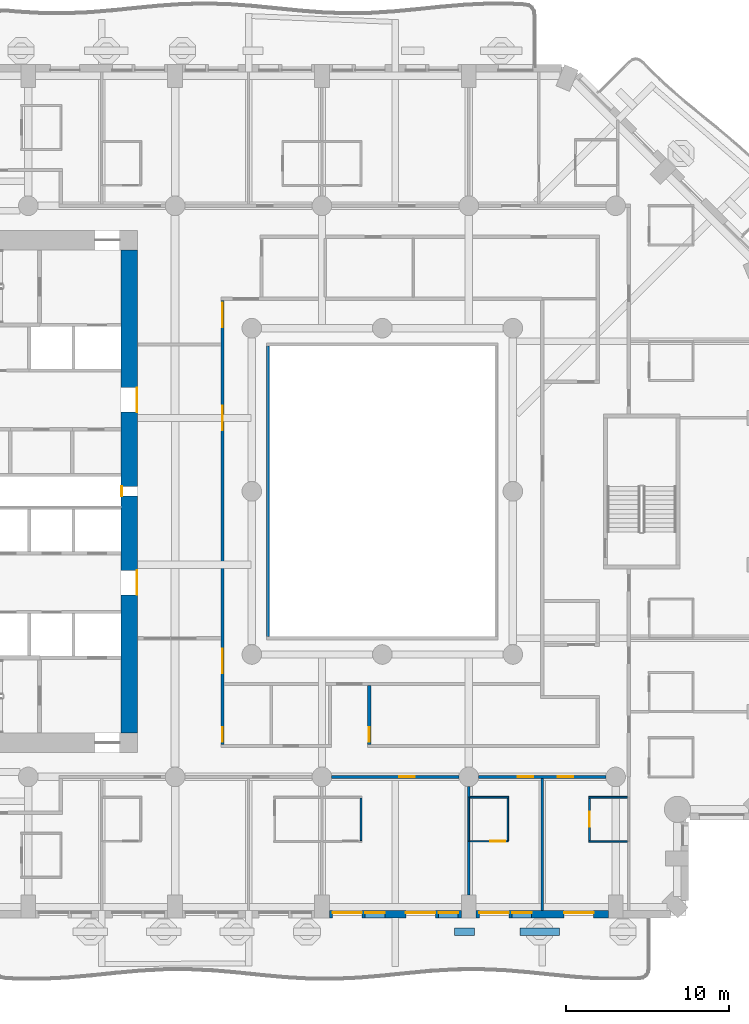
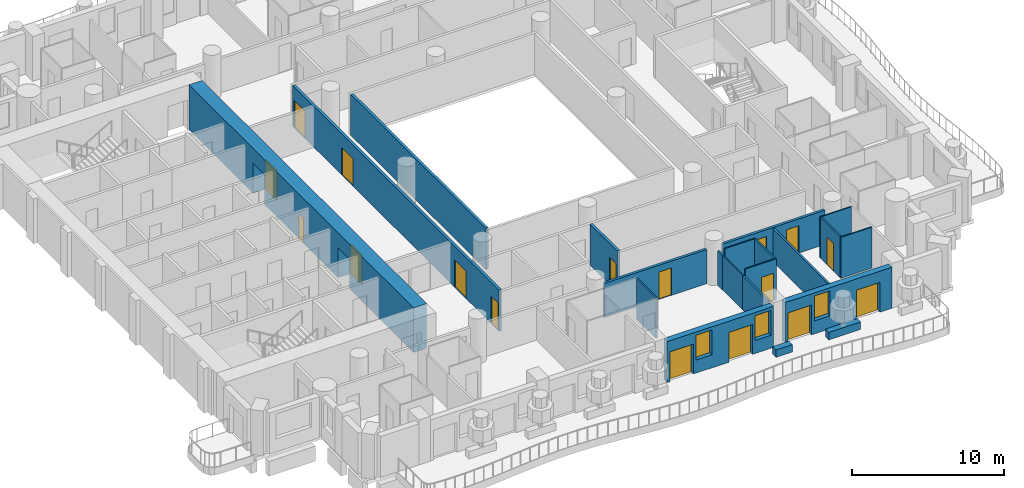
# One storey, part 5 of 20: 21 walls, 17 doors, 3 windows, 20 openings.
"""IFC4 building model written with IfcOpenShell, lengths in metres."""

from ifc_helpers import new_model, si_unit, direction, frame, frame_2d, origin, place, context, subcontext, project, spatial, rectangle, extrude, material, layer, layer_set, type_object, element, fill, save


model = new_model("IFC4")

# Units and contexts
model_context = context("Model", 3, precision=1e-05, world=origin(), true_north=direction((0.0, 1.0)))
body_context = subcontext(model_context, "Body", "Model", "MODEL_VIEW")
ifc_project = project(units=[si_unit("LENGTHUNIT", "METRE"), si_unit("AREAUNIT", "SQUARE_METRE"), si_unit("VOLUMEUNIT", "CUBIC_METRE"), si_unit("PLANEANGLEUNIT", "RADIAN"), si_unit("MASSUNIT", "GRAM", prefix="KILO")], contexts=[model_context])

# Site, building, storey
site_placement = place(None, origin())
site = spatial("IfcSite", under=ifc_project, at=site_placement, CompositionType="ELEMENT")
building_placement = place(site_placement, origin())
building = spatial("IfcBuilding", under=site, at=building_placement, Name="Cypress Arch Tower", CompositionType="ELEMENT")
storey_placement = place(building_placement, frame((0.0, 0.0, 95.10009765625)))
storey = spatial("IfcBuildingStorey", under=building, at=storey_placement, Name="L18", CompositionType="ELEMENT", Elevation=95.10009765625)

# Walls
ifc_material_1 = material(Name="Concrete C40/50, waterproofed", Category="concrete")
ifc_layer_1 = layer(ifc_material_1, 0.449951171875)
ifc_layer_set_1 = layer_set([ifc_layer_1], Name="Balcony planter wall PW450")
wall_type_1 = type_object("IfcWallType", Name="Balcony planter wall PW450", PredefinedType="SOLIDWALL", material=ifc_layer_set_1)
wall_1_placement = place(storey_placement, frame((5.419921875, -27.0, 0.0), z_axis=(0.0, 0.0, 1.0), x_axis=(1.0, 0.0, 0.0)))
element("IfcWall", 1, at=wall_1_placement, inside=storey, type_object=wall_type_1, Name="Balcony planter wall L18-A03.5", PredefinedType="SOLIDWALL", context=body_context, shape_type="SweptSolid", body=[
    extrude(rectangle(XDim=1.22998046875, YDim=0.449951171875, at=frame_2d((0.614990234375, 0.0))), origin(), (0.0, 0.0, 1.0), 0.599853515625),
])
wall_2_placement = place(storey_placement, frame((9.429931640625, -27.0, 0.0), z_axis=(0.0, 0.0, 1.0), x_axis=(1.0, 0.0, 0.0)))
element("IfcWall", 2, at=wall_2_placement, inside=storey, type_object=wall_type_1, Name="Balcony planter wall L18-A03.6", PredefinedType="SOLIDWALL", context=body_context, shape_type="SweptSolid", body=[
    extrude(rectangle(XDim=2.420166015625, YDim=0.449951171875, at=frame_2d((1.2099609375, 0.0))), origin(), (0.0, 0.0, 1.0), 0.599853515625),
])

# Wall, openings, doors, windows
ifc_material_2 = material(Name="Brick (red buff blend)", Category="masonry")
ifc_layer_2 = layer(ifc_material_2, 0.449951171875)
ifc_layer_set_2 = layer_set([ifc_layer_2], Name="Brick pier and spandrel wall BW450")
wall_type_2 = type_object("IfcWallType", Name="Brick pier and spandrel wall BW450", PredefinedType="SOLIDWALL", material=ifc_layer_set_2)
wall_3_placement = place(storey_placement, frame((-2.25, -25.925048828125, 0.0), z_axis=(0.0, 0.0, 1.0), x_axis=(1.0, 0.0, 0.0)))
wall_3 = element("IfcWall", 3, at=wall_3_placement, inside=storey, type_object=wall_type_2, Name="Brick wall L18 A03.3", PredefinedType="SOLIDWALL", context=body_context, shape_type="SweptSolid", body=[
    extrude(rectangle(XDim=8.10009765625, YDim=0.449951171875, at=frame_2d((4.050048828125, 0.0))), origin(), (0.0, 0.0, 1.0), 3.2998046875),
])
opening_1_placement = place(wall_3_placement, frame((0.199951171875, 0.0, 0.0)))
opening_1 = element("IfcOpeningElement", 4, at=opening_1_placement, cuts=wall_3, Name="Opening D-L18-A03.3.1", PredefinedType="OPENING", context=body_context, shape_type="SweptSolid", body=[
    extrude(rectangle(XDim=1.800048828125, YDim=2.39990234375, at=frame_2d((0.89990234375, 1.199951171875))), frame((0.0, 0.23486328125, 0.0), z_axis=(0.0, -1.0, 0.0), x_axis=(1.0, 0.0, 0.0)), (0.0, 0.0, 1.0), 0.469970703125),
])
opening_2_placement = place(wall_3_placement, frame((2.199951171875, 0.0, 1.050048828125)))
opening_2 = element("IfcOpeningElement", 5, at=opening_2_placement, cuts=wall_3, Name="Opening W120HD", PredefinedType="OPENING", context=body_context, shape_type="SweptSolid", body=[
    extrude(rectangle(XDim=1.199951171875, YDim=2.0, at=frame_2d((0.60009765625, 1.0))), frame((0.0, 0.23486328125, 0.0), z_axis=(0.0, -1.0, 0.0), x_axis=(1.0, 0.0, 0.0)), (0.0, 0.0, 1.0), 0.469970703125),
])
opening_3_placement = place(wall_3_placement, frame((4.699951171875, 0.0, 0.0)))
opening_3 = element("IfcOpeningElement", 6, at=opening_3_placement, cuts=wall_3, Name="Opening D-L18-A03.3.2", PredefinedType="OPENING", context=body_context, shape_type="SweptSolid", body=[
    extrude(rectangle(XDim=1.800048828125, YDim=2.39990234375, at=frame_2d((0.89990234375, 1.199951171875))), frame((0.0, 0.23486328125, 0.0), z_axis=(0.0, -1.0, 0.0), x_axis=(1.0, 0.0, 0.0)), (0.0, 0.0, 1.0), 0.469970703125),
])
opening_4_placement = place(wall_3_placement, frame((6.699951171875, 0.0, 1.050048828125)))
opening_4 = element("IfcOpeningElement", 7, at=opening_4_placement, cuts=wall_3, Name="Opening W120HD", PredefinedType="OPENING", context=body_context, shape_type="SweptSolid", body=[
    extrude(rectangle(XDim=1.199951171875, YDim=2.0, at=frame_2d((0.60009765625, 1.0))), frame((0.0, 0.23486328125, 0.0), z_axis=(0.0, -1.0, 0.0), x_axis=(1.0, 0.0, 0.0)), (0.0, 0.0, 1.0), 0.469970703125),
])
ifc_material_3 = material(Name="Anodised aluminium, bronze finish, laminated low-emissivity double glazing, large-missile impact rated", Category="aluminium")
door_type_1 = type_object("IfcDoorType", Name="Balcony sliding door 1800x2400", OperationType="SLIDING_TO_LEFT", PredefinedType="DOOR", material=ifc_material_3)
door_1_placement = place(opening_1_placement, origin())
door_1 = element("IfcDoor", 8, at=door_1_placement, inside=storey, type_object=door_type_1, Name="Balcony door L18 A03.3.1", OperationType="SLIDING_TO_LEFT", OverallHeight=2.39990234375, OverallWidth=1.800048828125, PredefinedType="DOOR", context=body_context, shape_type="SweptSolid", body=[
    extrude(rectangle(XDim=1.800048828125, YDim=2.39990234375, at=frame_2d((0.89990234375, 1.199951171875))), frame((0.0, 0.1298828125, 0.0), z_axis=(0.0, -1.0, 0.0), x_axis=(1.0, 0.0, 0.0)), (0.0, 0.0, 1.0), 0.050048828125),
])
fill(opening_1, door_1)
door_2_placement = place(opening_3_placement, origin())
door_2 = element("IfcDoor", 9, at=door_2_placement, inside=storey, type_object=door_type_1, Name="Balcony door L18 A03.3.2", OperationType="SLIDING_TO_LEFT", OverallHeight=2.39990234375, OverallWidth=1.800048828125, PredefinedType="DOOR", context=body_context, shape_type="SweptSolid", body=[
    extrude(rectangle(XDim=1.800048828125, YDim=2.39990234375, at=frame_2d((0.89990234375, 1.199951171875))), frame((0.0, 0.1298828125, 0.0), z_axis=(0.0, -1.0, 0.0), x_axis=(1.0, 0.0, 0.0)), (0.0, 0.0, 1.0), 0.050048828125),
])
fill(opening_3, door_2)
ifc_material_4 = material(Name="Anodised aluminium, bronze finish, laminated low-emissivity double glazing, large-missile impact rated", Category="aluminium")
window_type = type_object("IfcWindowType", Name="Window Hotel 1200x2000 debris-rated", PartitioningType="SINGLE_PANEL", PredefinedType="WINDOW", material=ifc_material_4)
window_1_placement = place(opening_2_placement, origin())
window_1 = element("IfcWindow", 10, at=window_1_placement, inside=storey, type_object=window_type, Name="Window L18 A03.3.1", OverallHeight=2.0, OverallWidth=1.199951171875, PartitioningType="SINGLE_PANEL", PredefinedType="WINDOW", context=body_context, shape_type="SweptSolid", body=[
    extrude(rectangle(XDim=1.199951171875, YDim=2.0, at=frame_2d((0.60009765625, 1.0))), frame((0.0, 0.135009765625, 0.0), z_axis=(0.0, -1.0, 0.0), x_axis=(1.0, 0.0, 0.0)), (0.0, 0.0, 1.0), 0.06005859375),
])
fill(opening_2, window_1)
window_2_placement = place(opening_4_placement, origin())
window_2 = element("IfcWindow", 11, at=window_2_placement, inside=storey, type_object=window_type, Name="Window L18 A03.3.2", OverallHeight=2.0, OverallWidth=1.199951171875, PartitioningType="SINGLE_PANEL", PredefinedType="WINDOW", context=body_context, shape_type="SweptSolid", body=[
    extrude(rectangle(XDim=1.199951171875, YDim=2.0, at=frame_2d((0.60009765625, 1.0))), frame((0.0, 0.135009765625, 0.0), z_axis=(0.0, -1.0, 0.0), x_axis=(1.0, 0.0, 0.0)), (0.0, 0.0, 1.0), 0.06005859375),
])
fill(opening_4, window_2)

# Wall, openings, doors, window
wall_4_placement = place(storey_placement, frame((6.75, -25.925048828125, 0.0), z_axis=(0.0, 0.0, 1.0), x_axis=(1.0, 0.0, 0.0)))
wall_4 = element("IfcWall", 12, at=wall_4_placement, inside=storey, type_object=wall_type_2, Name="Brick wall L18 A03.4", PredefinedType="SOLIDWALL", context=body_context, shape_type="SweptSolid", body=[
    extrude(rectangle(XDim=8.10009765625, YDim=0.449951171875, at=frame_2d((4.050048828125, 0.0))), origin(), (0.0, 0.0, 1.0), 3.2998046875),
])
opening_5_placement = place(wall_4_placement, frame((0.199951171875, 0.0, 0.0)))
opening_5 = element("IfcOpeningElement", 13, at=opening_5_placement, cuts=wall_4, Name="Opening D-L18-A03.4.1", PredefinedType="OPENING", context=body_context, shape_type="SweptSolid", body=[
    extrude(rectangle(XDim=1.800048828125, YDim=2.39990234375, at=frame_2d((0.89990234375, 1.199951171875))), frame((0.0, 0.23486328125, 0.0), z_axis=(0.0, -1.0, 0.0), x_axis=(1.0, 0.0, 0.0)), (0.0, 0.0, 1.0), 0.469970703125),
])
opening_6_placement = place(wall_4_placement, frame((2.199951171875, 0.0, 1.050048828125)))
opening_6 = element("IfcOpeningElement", 14, at=opening_6_placement, cuts=wall_4, Name="Opening W120HD", PredefinedType="OPENING", context=body_context, shape_type="SweptSolid", body=[
    extrude(rectangle(XDim=1.199951171875, YDim=2.0, at=frame_2d((0.60009765625, 1.0))), frame((0.0, 0.23486328125, 0.0), z_axis=(0.0, -1.0, 0.0), x_axis=(1.0, 0.0, 0.0)), (0.0, 0.0, 1.0), 0.469970703125),
])
opening_7_placement = place(wall_4_placement, frame((5.39990234375, 0.0, 0.0)))
opening_7 = element("IfcOpeningElement", 15, at=opening_7_placement, cuts=wall_4, Name="Opening D-L18-A03.4.2", PredefinedType="OPENING", context=body_context, shape_type="SweptSolid", body=[
    extrude(rectangle(XDim=1.800048828125, YDim=2.39990234375, at=frame_2d((0.89990234375, 1.199951171875))), frame((0.0, 0.23486328125, 0.0), z_axis=(0.0, -1.0, 0.0), x_axis=(1.0, 0.0, 0.0)), (0.0, 0.0, 1.0), 0.469970703125),
])
door_3_placement = place(opening_5_placement, origin())
door_3 = element("IfcDoor", 16, at=door_3_placement, inside=storey, type_object=door_type_1, Name="Balcony door L18 A03.4.1", OperationType="SLIDING_TO_LEFT", OverallHeight=2.39990234375, OverallWidth=1.800048828125, PredefinedType="DOOR", context=body_context, shape_type="SweptSolid", body=[
    extrude(rectangle(XDim=1.800048828125, YDim=2.39990234375, at=frame_2d((0.89990234375, 1.199951171875))), frame((0.0, 0.1298828125, 0.0), z_axis=(0.0, -1.0, 0.0), x_axis=(1.0, 0.0, 0.0)), (0.0, 0.0, 1.0), 0.050048828125),
])
fill(opening_5, door_3)
door_4_placement = place(opening_7_placement, origin())
door_4 = element("IfcDoor", 17, at=door_4_placement, inside=storey, type_object=door_type_1, Name="Balcony door L18 A03.4.2", OperationType="SLIDING_TO_LEFT", OverallHeight=2.39990234375, OverallWidth=1.800048828125, PredefinedType="DOOR", context=body_context, shape_type="SweptSolid", body=[
    extrude(rectangle(XDim=1.800048828125, YDim=2.39990234375, at=frame_2d((0.89990234375, 1.199951171875))), frame((0.0, 0.1298828125, 0.0), z_axis=(0.0, -1.0, 0.0), x_axis=(1.0, 0.0, 0.0)), (0.0, 0.0, 1.0), 0.050048828125),
])
fill(opening_7, door_4)
window_3_placement = place(opening_6_placement, origin())
window_3 = element("IfcWindow", 18, at=window_3_placement, inside=storey, type_object=window_type, Name="Window L18 A03.4.1", OverallHeight=2.0, OverallWidth=1.199951171875, PartitioningType="SINGLE_PANEL", PredefinedType="WINDOW", context=body_context, shape_type="SweptSolid", body=[
    extrude(rectangle(XDim=1.199951171875, YDim=2.0, at=frame_2d((0.60009765625, 1.0))), frame((0.0, 0.135009765625, 0.0), z_axis=(0.0, -1.0, 0.0), x_axis=(1.0, 0.0, 0.0)), (0.0, 0.0, 1.0), 0.06005859375),
])
fill(opening_6, window_3)

# Wall, openings, doors
ifc_material_5 = material(Name="Concrete C80/95", Category="concrete")
ifc_layer_3 = layer(ifc_material_5, 1.0)
ifc_layer_set_3 = layer_set([ifc_layer_3], Name="Core wall CW1000 C80/95")
wall_type_3 = type_object("IfcWallType", Name="Core wall CW1000 C80/95", PredefinedType="SHEAR", material=ifc_layer_set_3)
wall_5_placement = place(storey_placement, frame((-14.5, -14.800048828125, 0.0), z_axis=(0.0, 0.0, 1.0), x_axis=(0.0, 1.0, 0.0)))
wall_5 = element("IfcWall", 19, at=wall_5_placement, inside=storey, type_object=wall_type_3, Name="Core wall", PredefinedType="SHEAR", context=body_context, shape_type="SweptSolid", body=[
    extrude(rectangle(XDim=29.60009765625, YDim=1.0, at=frame_2d((14.800048828125, 0.0))), origin(), (0.0, 0.0, 1.0), 3.599853515625),
])
opening_8_placement = place(wall_5_placement, frame((8.449951171875, 0.0, 0.0)))
opening_8 = element("IfcOpeningElement", 20, at=opening_8_placement, cuts=wall_5, Name="Opening D07", PredefinedType="OPENING", context=body_context, shape_type="SweptSolid", body=[
    extrude(rectangle(XDim=1.5, YDim=2.39990234375, at=frame_2d((0.75, 1.199951171875))), frame((0.0, 0.510009765625, 0.0), z_axis=(0.0, -1.0, 0.0), x_axis=(1.0, 0.0, 0.0)), (0.0, 0.0, 1.0), 1.02001953125),
])
opening_9_placement = place(wall_5_placement, frame((19.64990234375, 0.0, 0.0)))
opening_9 = element("IfcOpeningElement", 21, at=opening_9_placement, cuts=wall_5, Name="Opening D07", PredefinedType="OPENING", context=body_context, shape_type="SweptSolid", body=[
    extrude(rectangle(XDim=1.5, YDim=2.39990234375, at=frame_2d((0.75, 1.199951171875))), frame((0.0, 0.510009765625, 0.0), z_axis=(0.0, -1.0, 0.0), x_axis=(1.0, 0.0, 0.0)), (0.0, 0.0, 1.0), 1.02001953125),
])
opening_10_placement = place(wall_5_placement, frame((14.5, 0.0, 0.0)))
opening_10 = element("IfcOpeningElement", 22, at=opening_10_placement, cuts=wall_5, Name="Opening D08", PredefinedType="OPENING", context=body_context, shape_type="SweptSolid", body=[
    extrude(rectangle(XDim=0.60009765625, YDim=2.0, at=frame_2d((0.300048828125, 1.0))), frame((0.0, 0.510009765625, 0.0), z_axis=(0.0, -1.0, 0.0), x_axis=(1.0, 0.0, 0.0)), (0.0, 0.0, 1.0), 1.02001953125),
])
ifc_material_6 = material(Name="Steel framed glazed door, fire resisting", Category="steel")
door_type_2 = type_object("IfcDoorType", Name="Lobby door D07 1500x2400", OperationType="DOUBLE_DOOR_SINGLE_SWING", PredefinedType="DOOR", material=ifc_material_6)
door_5_placement = place(opening_8_placement, origin())
door_5 = element("IfcDoor", 23, at=door_5_placement, inside=storey, type_object=door_type_2, Name="Lobby door", OperationType="DOUBLE_DOOR_SINGLE_SWING", OverallHeight=2.39990234375, OverallWidth=1.5, PredefinedType="DOOR", context=body_context, shape_type="SweptSolid", body=[
    extrude(rectangle(XDim=1.5, YDim=2.39990234375, at=frame_2d((0.75, 1.199951171875))), frame((0.0, -0.44482421875, 0.0), z_axis=(0.0, -1.0, 0.0), x_axis=(1.0, 0.0, 0.0)), (0.0, 0.0, 1.0), 0.050048828125),
])
fill(opening_8, door_5)
door_6_placement = place(opening_9_placement, origin())
door_6 = element("IfcDoor", 24, at=door_6_placement, inside=storey, type_object=door_type_2, Name="Lobby door", OperationType="DOUBLE_DOOR_SINGLE_SWING", OverallHeight=2.39990234375, OverallWidth=1.5, PredefinedType="DOOR", context=body_context, shape_type="SweptSolid", body=[
    extrude(rectangle(XDim=1.5, YDim=2.39990234375, at=frame_2d((0.75, 1.199951171875))), frame((0.0, -0.44482421875, 0.0), z_axis=(0.0, -1.0, 0.0), x_axis=(1.0, 0.0, 0.0)), (0.0, 0.0, 1.0), 0.050048828125),
])
fill(opening_9, door_6)
ifc_material_7 = material(Name="Steel access door, fire resisting", Category="steel")
door_type_3 = type_object("IfcDoorType", Name="Riser access door D08 600x2000", OperationType="SINGLE_SWING_LEFT", PredefinedType="DOOR", material=ifc_material_7)
door_7_placement = place(opening_10_placement, origin())
door_7 = element("IfcDoor", 25, at=door_7_placement, inside=storey, type_object=door_type_3, Name="Riser access door", OperationType="SINGLE_SWING_RIGHT", OverallHeight=2.0, OverallWidth=0.60009765625, PredefinedType="DOOR", context=body_context, shape_type="SweptSolid", body=[
    extrude(rectangle(XDim=0.60009765625, YDim=2.0, at=frame_2d((0.300048828125, 1.0))), frame((0.0, 0.4951171875, 0.0), z_axis=(0.0, -1.0, 0.0), x_axis=(1.0, 0.0, 0.0)), (0.0, 0.0, 1.0), 0.050048828125),
])
fill(opening_10, door_7)

# Wall, opening, door
ifc_material_8 = material(Name="Concrete blockwork, plastered, rated", Category="masonry")
ifc_layer_4 = layer(ifc_material_8, 0.199951171875)
ifc_layer_set_4 = layer_set([ifc_layer_4], Name="Corridor wall FW200")
wall_type_4 = type_object("IfcWallType", Name="Corridor wall FW200", PredefinedType="PARTITIONING", material=ifc_layer_set_4)
wall_6_placement = place(storey_placement, frame((-2.10009765625, -17.5, 0.0), z_axis=(0.0, 0.0, 1.0), x_axis=(1.0, 0.0, 0.0)))
wall_6 = element("IfcWall", 26, at=wall_6_placement, inside=storey, type_object=wall_type_4, Name="Corridor wall", PredefinedType="PARTITIONING", context=body_context, shape_type="SweptSolid", body=[
    extrude(rectangle(XDim=7.800048828125, YDim=0.199951171875, at=frame_2d((3.89990234375, 0.0))), origin(), (0.0, 0.0, 1.0), 2.75),
])
opening_11_placement = place(wall_6_placement, frame((4.14990234375, 0.0, 0.0)))
opening_11 = element("IfcOpeningElement", 27, at=opening_11_placement, cuts=wall_6, Name="Opening D02", PredefinedType="OPENING", context=body_context, shape_type="SweptSolid", body=[
    extrude(rectangle(XDim=0.949951171875, YDim=2.199951171875, at=frame_2d((0.47509765625, 1.10009765625))), frame((0.0, 0.10986328125, 0.0), z_axis=(0.0, -1.0, 0.0), x_axis=(1.0, 0.0, 0.0)), (0.0, 0.0, 1.0), 0.219970703125),
])
ifc_material_9 = material(Name="Timber flush door, fire resisting", Category="wood")
door_type_4 = type_object("IfcDoorType", Name="Room door D02 950x2200", OperationType="SINGLE_SWING_LEFT", PredefinedType="DOOR", material=ifc_material_9)
door_8_placement = place(opening_11_placement, origin())
door_8 = element("IfcDoor", 28, at=door_8_placement, inside=storey, type_object=door_type_4, Name="Room door", OperationType="SINGLE_SWING_LEFT", OverallHeight=2.199951171875, OverallWidth=0.949951171875, PredefinedType="DOOR", context=body_context, shape_type="SweptSolid", body=[
    extrude(rectangle(XDim=0.949951171875, YDim=2.199951171875, at=frame_2d((0.47509765625, 1.10009765625))), frame((0.0, 0.02490234375, 0.0), z_axis=(0.0, -1.0, 0.0), x_axis=(1.0, 0.0, 0.0)), (0.0, 0.0, 1.0), 0.050048828125),
])
fill(opening_11, door_8)

# Wall, openings, doors
wall_7_placement = place(storey_placement, frame((6.89990234375, -17.5, 0.0), z_axis=(0.0, 0.0, 1.0), x_axis=(1.0, 0.0, 0.0)))
wall_7 = element("IfcWall", 29, at=wall_7_placement, inside=storey, type_object=wall_type_4, Name="Corridor wall", PredefinedType="PARTITIONING", context=body_context, shape_type="SweptSolid", body=[
    extrude(rectangle(XDim=7.800048828125, YDim=0.199951171875, at=frame_2d((3.89990234375, 0.0))), origin(), (0.0, 0.0, 1.0), 2.75),
])
opening_12_placement = place(wall_7_placement, frame((2.39990234375, 0.0, 0.0)))
opening_12 = element("IfcOpeningElement", 30, at=opening_12_placement, cuts=wall_7, Name="Opening D02", PredefinedType="OPENING", context=body_context, shape_type="SweptSolid", body=[
    extrude(rectangle(XDim=0.949951171875, YDim=2.199951171875, at=frame_2d((0.47509765625, 1.10009765625))), frame((0.0, 0.10986328125, 0.0), z_axis=(0.0, -1.0, 0.0), x_axis=(1.0, 0.0, 0.0)), (0.0, 0.0, 1.0), 0.219970703125),
])
opening_13_placement = place(wall_7_placement, frame((4.85009765625, 0.0, 0.0)))
opening_13 = element("IfcOpeningElement", 31, at=opening_13_placement, cuts=wall_7, Name="Opening D02", PredefinedType="OPENING", context=body_context, shape_type="SweptSolid", body=[
    extrude(rectangle(XDim=0.949951171875, YDim=2.199951171875, at=frame_2d((0.47509765625, 1.10009765625))), frame((0.0, 0.10986328125, 0.0), z_axis=(0.0, -1.0, 0.0), x_axis=(1.0, 0.0, 0.0)), (0.0, 0.0, 1.0), 0.219970703125),
])
door_9_placement = place(opening_12_placement, origin())
door_9 = element("IfcDoor", 32, at=door_9_placement, inside=storey, type_object=door_type_4, Name="Room door", OperationType="SINGLE_SWING_LEFT", OverallHeight=2.199951171875, OverallWidth=0.949951171875, PredefinedType="DOOR", context=body_context, shape_type="SweptSolid", body=[
    extrude(rectangle(XDim=0.949951171875, YDim=2.199951171875, at=frame_2d((0.47509765625, 1.10009765625))), frame((0.0, 0.02490234375, 0.0), z_axis=(0.0, -1.0, 0.0), x_axis=(1.0, 0.0, 0.0)), (0.0, 0.0, 1.0), 0.050048828125),
])
fill(opening_12, door_9)
door_10_placement = place(opening_13_placement, origin())
door_10 = element("IfcDoor", 33, at=door_10_placement, inside=storey, type_object=door_type_4, Name="Room door", OperationType="SINGLE_SWING_RIGHT", OverallHeight=2.199951171875, OverallWidth=0.949951171875, PredefinedType="DOOR", context=body_context, shape_type="SweptSolid", body=[
    extrude(rectangle(XDim=0.949951171875, YDim=2.199951171875, at=frame_2d((0.47509765625, 1.10009765625))), frame((0.0, 0.02490234375, 0.0), z_axis=(0.0, -1.0, 0.0), x_axis=(1.0, 0.0, 0.0)), (0.0, 0.0, 1.0), 0.050048828125),
])
fill(opening_13, door_10)

wall_8_placement = place(storey_placement, frame((-8.800048828125, -15.5, 0.0), z_axis=(0.0, 0.0, 1.0), x_axis=(0.0, 1.0, 0.0)))
wall_8 = element("IfcWall", 34, at=wall_8_placement, inside=storey, type_object=wall_type_4, Name="Corridor wall", PredefinedType="PARTITIONING", context=body_context, shape_type="SweptSolid", body=[
    extrude(rectangle(XDim=27.199951171875, YDim=0.199951171875, at=frame_2d((13.60009765625, 0.0))), origin(), (0.0, 0.0, 1.0), 3.2998046875),
])
opening_14_placement = place(wall_8_placement, frame((19.25, 0.0, 0.0)))
opening_14 = element("IfcOpeningElement", 35, at=opening_14_placement, cuts=wall_8, Name="Opening D04", PredefinedType="OPENING", context=body_context, shape_type="SweptSolid", body=[
    extrude(rectangle(XDim=1.5, YDim=2.199951171875, at=frame_2d((0.75, 1.10009765625))), frame((0.0, 0.10986328125, 0.0), z_axis=(0.0, -1.0, 0.0), x_axis=(1.0, 0.0, 0.0)), (0.0, 0.0, 1.0), 0.219970703125),
])
opening_15_placement = place(wall_8_placement, frame((4.35009765625, 0.0, 0.0)))
opening_15 = element("IfcOpeningElement", 36, at=opening_15_placement, cuts=wall_8, Name="Opening D04", PredefinedType="OPENING", context=body_context, shape_type="SweptSolid", body=[
    extrude(rectangle(XDim=1.5, YDim=2.199951171875, at=frame_2d((0.75, 1.10009765625))), frame((0.0, 0.10986328125, 0.0), z_axis=(0.0, -1.0, 0.0), x_axis=(1.0, 0.0, 0.0)), (0.0, 0.0, 1.0), 0.219970703125),
])
opening_16_placement = place(wall_8_placement, frame((25.550048828125, 0.0, 0.0)))
opening_16 = element("IfcOpeningElement", 37, at=opening_16_placement, cuts=wall_8, Name="Opening D04", PredefinedType="OPENING", context=body_context, shape_type="SweptSolid", body=[
    extrude(rectangle(XDim=1.5, YDim=2.199951171875, at=frame_2d((0.75, 1.10009765625))), frame((0.0, 0.10986328125, 0.0), z_axis=(0.0, -1.0, 0.0), x_axis=(1.0, 0.0, 0.0)), (0.0, 0.0, 1.0), 0.219970703125),
])
opening_17_placement = place(wall_8_placement, frame((0.14990234375, 0.0, 0.0)))
opening_17 = element("IfcOpeningElement", 38, at=opening_17_placement, cuts=wall_8, Name="Opening D05", PredefinedType="OPENING", context=body_context, shape_type="SweptSolid", body=[
    extrude(rectangle(XDim=0.89990234375, YDim=2.199951171875, at=frame_2d((0.449951171875, 1.10009765625))), frame((0.0, 0.10986328125, 0.0), z_axis=(0.0, -1.0, 0.0), x_axis=(1.0, 0.0, 0.0)), (0.0, 0.0, 1.0), 0.219970703125),
])
ifc_material_10 = material(Name="Timber double door", Category="wood")
door_type_5 = type_object("IfcDoorType", Name="Double door D04 1500x2200", OperationType="DOUBLE_DOOR_SINGLE_SWING", PredefinedType="DOOR", material=ifc_material_10)
door_11_placement = place(opening_14_placement, origin())
door_11 = element("IfcDoor", 39, at=door_11_placement, inside=storey, type_object=door_type_5, Name="Double door", OperationType="DOUBLE_DOOR_SINGLE_SWING", OverallHeight=2.199951171875, OverallWidth=1.5, PredefinedType="DOOR", context=body_context, shape_type="SweptSolid", body=[
    extrude(rectangle(XDim=1.5, YDim=2.199951171875, at=frame_2d((0.75, 1.10009765625))), frame((0.0, 0.02490234375, 0.0), z_axis=(0.0, -1.0, 0.0), x_axis=(1.0, 0.0, 0.0)), (0.0, 0.0, 1.0), 0.050048828125),
])
fill(opening_14, door_11)
door_12_placement = place(opening_15_placement, origin())
door_12 = element("IfcDoor", 40, at=door_12_placement, inside=storey, type_object=door_type_5, Name="Double door", OperationType="DOUBLE_DOOR_SINGLE_SWING", OverallHeight=2.199951171875, OverallWidth=1.5, PredefinedType="DOOR", context=body_context, shape_type="SweptSolid", body=[
    extrude(rectangle(XDim=1.5, YDim=2.199951171875, at=frame_2d((0.75, 1.10009765625))), frame((0.0, 0.02490234375, 0.0), z_axis=(0.0, -1.0, 0.0), x_axis=(1.0, 0.0, 0.0)), (0.0, 0.0, 1.0), 0.050048828125),
])
fill(opening_15, door_12)
door_13_placement = place(opening_16_placement, origin())
door_13 = element("IfcDoor", 41, at=door_13_placement, inside=storey, type_object=door_type_5, Name="Double door", OperationType="DOUBLE_DOOR_SINGLE_SWING", OverallHeight=2.199951171875, OverallWidth=1.5, PredefinedType="DOOR", context=body_context, shape_type="SweptSolid", body=[
    extrude(rectangle(XDim=1.5, YDim=2.199951171875, at=frame_2d((0.75, 1.10009765625))), frame((0.0, 0.02490234375, 0.0), z_axis=(0.0, -1.0, 0.0), x_axis=(1.0, 0.0, 0.0)), (0.0, 0.0, 1.0), 0.050048828125),
])
fill(opening_16, door_13)
ifc_material_11 = material(Name="Timber flush door", Category="wood")
door_type_6 = type_object("IfcDoorType", Name="Service door D05 900x2200", OperationType="SINGLE_SWING_LEFT", PredefinedType="DOOR", material=ifc_material_11)
door_14_placement = place(opening_17_placement, origin())
door_14 = element("IfcDoor", 42, at=door_14_placement, inside=storey, type_object=door_type_6, Name="Service door", OperationType="SINGLE_SWING_RIGHT", OverallHeight=2.199951171875, OverallWidth=0.89990234375, PredefinedType="DOOR", context=body_context, shape_type="SweptSolid", body=[
    extrude(rectangle(XDim=0.89990234375, YDim=2.199951171875, at=frame_2d((0.449951171875, 1.10009765625))), frame((0.0, 0.02490234375, 0.0), z_axis=(0.0, -1.0, 0.0), x_axis=(1.0, 0.0, 0.0)), (0.0, 0.0, 1.0), 0.050048828125),
])
fill(opening_17, door_14)

# Wall
wall_9_placement = place(storey_placement, frame((-6.0, -8.89990234375, 0.0), z_axis=(0.0, 0.0, 1.0), x_axis=(0.0, 1.0, 0.0)))
element("IfcWall", 43, at=wall_9_placement, inside=storey, type_object=wall_type_4, Name="Corridor wall", PredefinedType="PARTITIONING", context=body_context, shape_type="SweptSolid", body=[
    extrude(rectangle(XDim=17.7998046875, YDim=0.199951171875, at=frame_2d((8.89990234375, 0.0))), origin(), (0.0, 0.0, 1.0), 3.2998046875),
])

# Wall, opening, door
wall_10_placement = place(storey_placement, frame((0.199951171875, -15.5, 0.0), z_axis=(0.0, 0.0, 1.0), x_axis=(0.0, 1.0, 0.0)))
wall_10 = element("IfcWall", 44, at=wall_10_placement, inside=storey, type_object=wall_type_4, Name="Corridor wall", PredefinedType="PARTITIONING", context=body_context, shape_type="SweptSolid", body=[
    extrude(rectangle(XDim=3.60009765625, YDim=0.199951171875, at=frame_2d((1.800048828125, 0.0))), origin(), (0.0, 0.0, 1.0), 3.2998046875),
])
opening_18_placement = place(wall_10_placement, frame((0.14990234375, 0.0, 0.0)))
opening_18 = element("IfcOpeningElement", 45, at=opening_18_placement, cuts=wall_10, Name="Opening D03", PredefinedType="OPENING", context=body_context, shape_type="SweptSolid", body=[
    extrude(rectangle(XDim=0.89990234375, YDim=2.199951171875, at=frame_2d((0.449951171875, 1.10009765625))), frame((0.0, 0.10986328125, 0.0), z_axis=(0.0, -1.0, 0.0), x_axis=(1.0, 0.0, 0.0)), (0.0, 0.0, 1.0), 0.219970703125),
])
ifc_material_12 = material(Name="Timber flush door, moisture resistant", Category="wood")
door_type_7 = type_object("IfcDoorType", Name="Bathroom door D03 900x2200", OperationType="SINGLE_SWING_LEFT", PredefinedType="DOOR", material=ifc_material_12)
door_15_placement = place(opening_18_placement, origin())
door_15 = element("IfcDoor", 46, at=door_15_placement, inside=storey, type_object=door_type_7, Name="Bathroom door", OperationType="SINGLE_SWING_RIGHT", OverallHeight=2.199951171875, OverallWidth=0.89990234375, PredefinedType="DOOR", context=body_context, shape_type="SweptSolid", body=[
    extrude(rectangle(XDim=0.89990234375, YDim=2.199951171875, at=frame_2d((0.449951171875, 1.10009765625))), frame((0.0, 0.02490234375, 0.0), z_axis=(0.0, -1.0, 0.0), x_axis=(1.0, 0.0, 0.0)), (0.0, 0.0, 1.0), 0.050048828125),
])
fill(opening_18, door_15)

# Walls
ifc_material_13 = material(Name="Blockwork, plastered both sides", Category="masonry")
ifc_layer_5 = layer(ifc_material_13, 0.14990234375)
ifc_layer_set_5 = layer_set([ifc_layer_5], Name="Partition PW150")
wall_type_5 = type_object("IfcWallType", Name="Partition PW150", PredefinedType="PARTITIONING", material=ifc_layer_set_5)
wall_11_placement = place(storey_placement, frame((6.300048828125, -24.75, 0.0), z_axis=(0.0, 0.0, 1.0), x_axis=(0.0, 1.0, 0.0)))
element("IfcWall", 47, at=wall_11_placement, inside=storey, type_object=wall_type_5, Name="Partition", PredefinedType="PARTITIONING", context=body_context, shape_type="SweptSolid", body=[
    extrude(rectangle(XDim=3.320068359375, YDim=0.14990234375, at=frame_2d((1.66015625, 0.0))), origin(), (0.0, 0.0, 1.0), 2.75),
])
wall_12_placement = place(storey_placement, frame((6.300048828125, -18.72998046875, 0.0), z_axis=(0.0, 0.0, 1.0), x_axis=(0.0, 1.0, 0.0)))
element("IfcWall", 48, at=wall_12_placement, inside=storey, type_object=wall_type_5, Name="Partition", PredefinedType="PARTITIONING", context=body_context, shape_type="SweptSolid", body=[
    extrude(rectangle(XDim=0.6298828125, YDim=0.14990234375, at=frame_2d((0.31494140625, 0.0))), origin(), (0.0, 0.0, 1.0), 2.75),
])
wall_13_placement = place(storey_placement, frame((10.800048828125, -25.699951171875, 0.0), z_axis=(0.0, 0.0, 1.0), x_axis=(0.0, 1.0, 0.0)))
element("IfcWall", 49, at=wall_13_placement, inside=storey, type_object=wall_type_5, Name="Partition", PredefinedType="PARTITIONING", context=body_context, shape_type="SweptSolid", body=[
    extrude(rectangle(XDim=8.099853515625, YDim=0.14990234375, at=frame_2d((4.0498046875, 0.0))), origin(), (0.0, 0.0, 1.0), 2.64990234375),
])
ifc_material_14 = material(Name="Moisture resistant board on steel studs, tiled", Category="steel")
ifc_layer_6 = layer(ifc_material_14, 0.10009765625)
ifc_layer_set_6 = layer_set([ifc_layer_6], Name="Wet wall PW100")
wall_type_6 = type_object("IfcWallType", Name="Wet wall PW100", PredefinedType="PARTITIONING", material=ifc_layer_set_6)
wall_14_placement = place(storey_placement, frame((-0.303955078125, -21.39990234375, 0.0), z_axis=(0.0, 0.0, 1.0), x_axis=(0.0, 1.0, 0.0)))
element("IfcWall", 50, at=wall_14_placement, inside=storey, type_object=wall_type_6, Name="Wet wall", PredefinedType="PARTITIONING", context=body_context, shape_type="SweptSolid", body=[
    extrude(rectangle(XDim=2.599853515625, YDim=0.10009765625, at=frame_2d((1.2998046875, 0.0))), origin(), (0.0, 0.0, 1.0), 3.2998046875),
])
wall_15_placement = place(storey_placement, frame((6.300048828125, -21.429931640625, 0.0), z_axis=(0.0, 0.0, 1.0), x_axis=(0.0, 1.0, 0.0)))
element("IfcWall", 51, at=wall_15_placement, inside=storey, type_object=wall_type_6, Name="Wet wall", PredefinedType="PARTITIONING", context=body_context, shape_type="SweptSolid", body=[
    extrude(rectangle(XDim=2.699951171875, YDim=0.10009765625, at=frame_2d((1.35009765625, 0.0))), origin(), (0.0, 0.0, 1.0), 2.75),
])

# Wall, opening, door
wall_16_placement = place(storey_placement, frame((6.375, -21.449951171875, 0.0), z_axis=(0.0, 0.0, 1.0), x_axis=(1.0, 0.0, 0.0)))
wall_16 = element("IfcWall", 52, at=wall_16_placement, inside=storey, type_object=wall_type_6, Name="Wet wall", PredefinedType="PARTITIONING", context=body_context, shape_type="SweptSolid", body=[
    extrude(rectangle(XDim=2.37109375, YDim=0.10009765625, at=frame_2d((1.185546875, 0.0))), origin(), (0.0, 0.0, 1.0), 3.2998046875),
])
opening_19_placement = place(wall_16_placement, frame((1.25, 0.0, 0.0)))
opening_19 = element("IfcOpeningElement", 53, at=opening_19_placement, cuts=wall_16, Name="Opening D03", PredefinedType="OPENING", context=body_context, shape_type="SweptSolid", body=[
    extrude(rectangle(XDim=0.89990234375, YDim=2.199951171875, at=frame_2d((0.449951171875, 1.10009765625))), frame((0.0, 0.06005859375, 0.0), z_axis=(0.0, -1.0, 0.0), x_axis=(1.0, 0.0, 0.0)), (0.0, 0.0, 1.0), 0.1201171875),
])
door_16_placement = place(opening_19_placement, origin())
door_16 = element("IfcDoor", 54, at=door_16_placement, inside=storey, type_object=door_type_7, Name="Bathroom door", OperationType="SINGLE_SWING_RIGHT", OverallHeight=2.199951171875, OverallWidth=0.89990234375, PredefinedType="DOOR", context=body_context, shape_type="SweptSolid", body=[
    extrude(rectangle(XDim=0.89990234375, YDim=2.199951171875, at=frame_2d((0.449951171875, 1.10009765625))), frame((0.0, 0.02490234375, 0.0), z_axis=(0.0, -1.0, 0.0), x_axis=(1.0, 0.0, 0.0)), (0.0, 0.0, 1.0), 0.050048828125),
])
fill(opening_19, door_16)

# Walls
wall_17_placement = place(storey_placement, frame((6.375, -18.75, 0.0), z_axis=(0.0, 0.0, 1.0), x_axis=(1.0, 0.0, 0.0)))
element("IfcWall", 55, at=wall_17_placement, inside=storey, type_object=wall_type_6, Name="Wet wall", PredefinedType="PARTITIONING", context=body_context, shape_type="SweptSolid", body=[
    extrude(rectangle(XDim=2.37109375, YDim=0.10009765625, at=frame_2d((1.185546875, 0.0))), origin(), (0.0, 0.0, 1.0), 3.2998046875),
])
wall_18_placement = place(storey_placement, frame((8.696044921875, -21.39990234375, 0.0), z_axis=(0.0, 0.0, 1.0), x_axis=(0.0, 1.0, 0.0)))
element("IfcWall", 56, at=wall_18_placement, inside=storey, type_object=wall_type_6, Name="Wet wall", PredefinedType="PARTITIONING", context=body_context, shape_type="SweptSolid", body=[
    extrude(rectangle(XDim=2.599853515625, YDim=0.10009765625, at=frame_2d((1.2998046875, 0.0))), origin(), (0.0, 0.0, 1.0), 3.2998046875),
])

# Wall, opening, door
wall_19_placement = place(storey_placement, frame((13.699951171875, -21.39990234375, 0.0), z_axis=(0.0, 0.0, 1.0), x_axis=(0.0, 1.0, 0.0)))
wall_19 = element("IfcWall", 57, at=wall_19_placement, inside=storey, type_object=wall_type_6, Name="Wet wall", PredefinedType="PARTITIONING", context=body_context, shape_type="SweptSolid", body=[
    extrude(rectangle(XDim=2.599853515625, YDim=0.10009765625, at=frame_2d((1.2998046875, 0.0))), origin(), (0.0, 0.0, 1.0), 3.2998046875),
])
opening_20_placement = place(wall_19_placement, frame((0.85009765625, 0.0, 0.0)))
opening_20 = element("IfcOpeningElement", 58, at=opening_20_placement, cuts=wall_19, Name="Opening D03", PredefinedType="OPENING", context=body_context, shape_type="SweptSolid", body=[
    extrude(rectangle(XDim=0.89990234375, YDim=2.199951171875, at=frame_2d((0.449951171875, 1.10009765625))), frame((0.0, 0.06005859375, 0.0), z_axis=(0.0, -1.0, 0.0), x_axis=(1.0, 0.0, 0.0)), (0.0, 0.0, 1.0), 0.1201171875),
])
door_17_placement = place(opening_20_placement, origin())
door_17 = element("IfcDoor", 59, at=door_17_placement, inside=storey, type_object=door_type_7, Name="Bathroom door", OperationType="SINGLE_SWING_LEFT", OverallHeight=2.199951171875, OverallWidth=0.89990234375, PredefinedType="DOOR", context=body_context, shape_type="SweptSolid", body=[
    extrude(rectangle(XDim=0.89990234375, YDim=2.199951171875, at=frame_2d((0.449951171875, 1.10009765625))), frame((0.0, 0.02490234375, 0.0), z_axis=(0.0, -1.0, 0.0), x_axis=(1.0, 0.0, 0.0)), (0.0, 0.0, 1.0), 0.050048828125),
])
fill(opening_20, door_17)

# Walls
for number, where, z_axis, x_axis, name in (
    (60, (13.64990234375, -21.449951171875, 0.0), (0.0, 0.0, 1.0), (1.0, 0.0, 0.0), "Wet wall"),
    (61, (13.64990234375, -18.75, 0.0), (0.0, 0.0, 1.0), (1.0, 0.0, 0.0), "Wet wall"),
):
    element("IfcWall", number, at=place(storey_placement, frame(where, z_axis=z_axis, x_axis=x_axis)), inside=storey, type_object=wall_type_6, Name=name, PredefinedType="PARTITIONING", context=body_context, shape_type="SweptSolid", body=[
        extrude(rectangle(XDim=2.375, YDim=0.10009765625, at=frame_2d((1.1875, 0.0))), origin(), (0.0, 0.0, 1.0), 3.2998046875),
    ])

save(model, "model.ifc")
